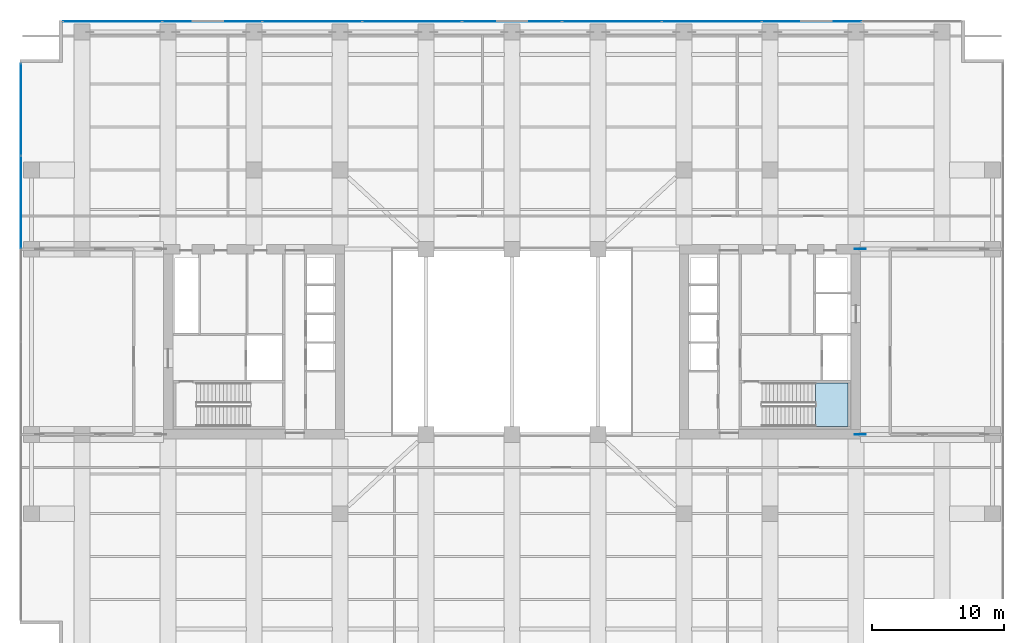
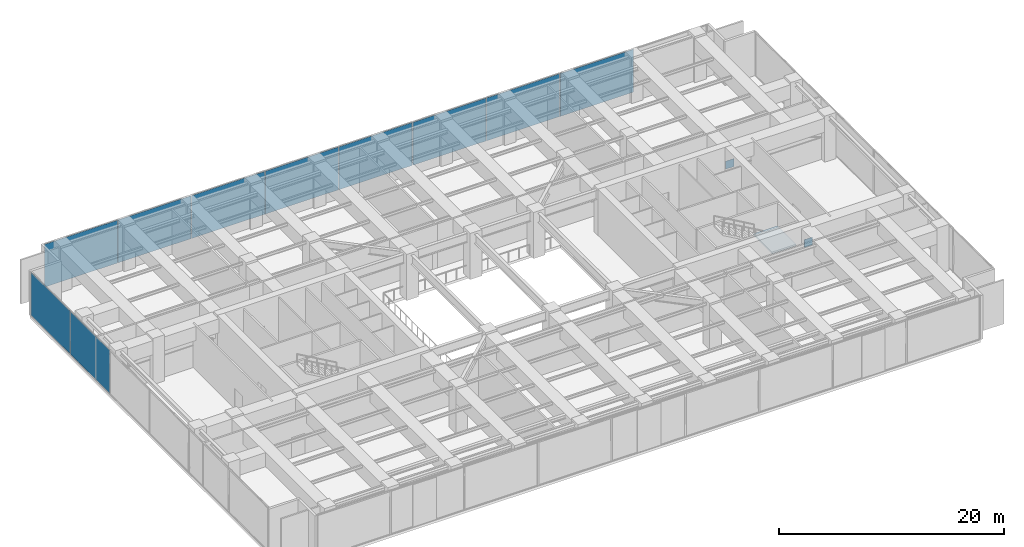
# One storey, part 15 of 28: 12 plates, 1 slab, 3 elements without a shape of their own.
"""IFC4 building model written with IfcOpenShell, lengths in metres."""

from ifc_helpers import new_model, si_unit, direction, frame, origin, origin_2d, place, context, subcontext, project, spatial, polyline, rectangle, outline, extrude, material, layer, layer_set, type_object, element, aggregate, save


model = new_model("IFC4")

# Units and contexts
model_context = context("Model", 3, precision=1e-05, world=origin(), true_north=direction((0.0, 1.0)))
body_context = subcontext(model_context, "Body", "Model", "MODEL_VIEW")
ifc_project = project(units=[si_unit("LENGTHUNIT", "METRE"), si_unit("AREAUNIT", "SQUARE_METRE"), si_unit("VOLUMEUNIT", "CUBIC_METRE"), si_unit("PLANEANGLEUNIT", "RADIAN"), si_unit("MASSUNIT", "GRAM", prefix="KILO")], contexts=[model_context])

# Site, building, storey
site_placement = place(None, origin())
site = spatial("IfcSite", under=ifc_project, at=site_placement, CompositionType="ELEMENT")
building_placement = place(site_placement, origin())
building = spatial("IfcBuilding", under=site, at=building_placement, Name="Putna Gate Headquarters", CompositionType="ELEMENT")
storey_placement = place(building_placement, frame((0.0, 0.0, 139.199951171875)))
storey = spatial("IfcBuildingStorey", under=building, at=storey_placement, Name="L34", CompositionType="ELEMENT", Elevation=139.199951171875)

# Stair, slab
ifc_material_1 = material(Name="Concrete C40/50", Category="concrete")
stair_type = type_object("IfcStairType", Name="STAIR-ST2", PredefinedType="HALF_TURN_STAIR", material=ifc_material_1)
stair_placement = place(storey_placement, origin())
stair = element("IfcStair", 1, at=stair_placement, inside=storey, type_object=stair_type, Name="L34 East Core Exit Stair ST2", PredefinedType="HALF_TURN_STAIR")
ifc_layer_1 = layer(ifc_material_1, 0.199951171875)
ifc_layer_set_1 = layer_set([ifc_layer_1], Name="Concrete C40/50")
slab_type = type_object("IfcSlabType", Name="LANDING-ST2", PredefinedType="LANDING", material=ifc_layer_set_1)
slab_placement = place(storey_placement, frame((0.0, 0.0, 2.300048828125)))
slab = element("IfcSlab", 2, at=slab_placement, type_object=slab_type, Name="ST2 landing 1", PredefinedType="LANDING", context=body_context, shape_type="SweptSolid", body=[
    extrude(outline(polyline([(61.9599609375, 19.60009765625), (64.39990234375, 19.60009765625), (64.39990234375, 22.89990234375), (61.9599609375, 22.89990234375), (61.9599609375, 19.60009765625)])), origin(), (0.0, 0.0, 1.0), 0.199951171875),
])
aggregate(stair, [slab])

# Curtain wall, plates
ifc_material_2 = material(Name="Anodised bronze aluminium curtain wall", Category="aluminium")
ifc_layer_2 = layer(ifc_material_2, 0.159912109375)
ifc_layer_set_2 = layer_set([ifc_layer_2], Name="Anodised bronze aluminium curtain wall")
curtain_wall_type = type_object("IfcCurtainWallType", Name="CW-SYS-CRN", PredefinedType="USERDEFINED", material=ifc_layer_set_2)
curtain_wall_1_placement = place(storey_placement, origin())
curtain_wall_1 = element("IfcCurtainWall", 3, at=curtain_wall_1_placement, inside=storey, type_object=curtain_wall_type, Name="L34 Acoustic Louvre North Enclosure", ObjectType="STICK CURTAIN WALL", PredefinedType="USERDEFINED")
ifc_material_3 = material(Name="Anodised bronze acoustic louvre panel", Category="aluminium")
ifc_layer_3 = layer(ifc_material_3, 0.044921875)
ifc_layer_set_3 = layer_set([ifc_layer_3], Name="Anodised bronze acoustic louvre panel")
plate_type_1 = type_object("IfcPlateType", Name="PAN-CWP-CR", PredefinedType="CURTAIN_PANEL", material=ifc_layer_set_3)
plate_1_placement = place(storey_placement, frame((8.7939453125, 50.219970703125, 0.06494140625), z_axis=(0.0, 0.0, 1.0), x_axis=(1.0, 0.0, 0.0)))
plate_1 = element("IfcPlate", 4, at=plate_1_placement, type_object=plate_type_1, Name="CWS-CR panel 1.1", PredefinedType="CURTAIN_PANEL", context=body_context, shape_type="SweptSolid", body=[
    extrude(rectangle(XDim=7.4580078125, YDim=0.044921875, at=origin_2d()), origin(), (0.0, 0.0, 1.0), 4.64208984375),
])
plate_2_placement = place(storey_placement, frame((16.333251953125, 50.219970703125, 0.06494140625), z_axis=(0.0, 0.0, 1.0), x_axis=(1.0, 0.0, 0.0)))
plate_2 = element("IfcPlate", 5, at=plate_2_placement, type_object=plate_type_1, Name="CWS-CR panel 2.1", PredefinedType="CURTAIN_PANEL", context=body_context, shape_type="SweptSolid", body=[
    extrude(rectangle(XDim=7.490478515625, YDim=0.044921875, at=origin_2d()), origin(), (0.0, 0.0, 1.0), 4.64208984375),
])
plate_3_placement = place(storey_placement, frame((23.888916015625, 50.219970703125, 0.06494140625), z_axis=(0.0, 0.0, 1.0), x_axis=(1.0, 0.0, 0.0)))
plate_3 = element("IfcPlate", 6, at=plate_3_placement, type_object=plate_type_1, Name="CWS-CR panel 3.1", PredefinedType="CURTAIN_PANEL", context=body_context, shape_type="SweptSolid", body=[
    extrude(rectangle(XDim=7.490478515625, YDim=0.044921875, at=origin_2d()), origin(), (0.0, 0.0, 1.0), 4.64208984375),
])
plate_4_placement = place(storey_placement, frame((31.4443359375, 50.219970703125, 0.06494140625), z_axis=(0.0, 0.0, 1.0), x_axis=(1.0, 0.0, 0.0)))
plate_4 = element("IfcPlate", 7, at=plate_4_placement, type_object=plate_type_1, Name="CWS-CR panel 4.1", PredefinedType="CURTAIN_PANEL", context=body_context, shape_type="SweptSolid", body=[
    extrude(rectangle(XDim=7.490478515625, YDim=0.044921875, at=origin_2d()), origin(), (0.0, 0.0, 1.0), 4.64208984375),
])
plate_5_placement = place(storey_placement, frame((39.0, 50.219970703125, 0.06494140625), z_axis=(0.0, 0.0, 1.0), x_axis=(1.0, 0.0, 0.0)))
plate_5 = element("IfcPlate", 8, at=plate_5_placement, type_object=plate_type_1, Name="CWS-CR panel 5.1", PredefinedType="CURTAIN_PANEL", context=body_context, shape_type="SweptSolid", body=[
    extrude(rectangle(XDim=7.490478515625, YDim=0.044921875, at=origin_2d()), origin(), (0.0, 0.0, 1.0), 4.64208984375),
])
plate_6_placement = place(storey_placement, frame((46.5556640625, 50.219970703125, 0.06494140625), z_axis=(0.0, 0.0, 1.0), x_axis=(1.0, 0.0, 0.0)))
plate_6 = element("IfcPlate", 9, at=plate_6_placement, type_object=plate_type_1, Name="CWS-CR panel 6.1", PredefinedType="CURTAIN_PANEL", context=body_context, shape_type="SweptSolid", body=[
    extrude(rectangle(XDim=7.490478515625, YDim=0.044921875, at=origin_2d()), origin(), (0.0, 0.0, 1.0), 4.64208984375),
])
plate_7_placement = place(storey_placement, frame((54.111083984375, 50.219970703125, 0.06494140625), z_axis=(0.0, 0.0, 1.0), x_axis=(1.0, 0.0, 0.0)))
plate_7 = element("IfcPlate", 10, at=plate_7_placement, type_object=plate_type_1, Name="CWS-CR panel 7.1", PredefinedType="CURTAIN_PANEL", context=body_context, shape_type="SweptSolid", body=[
    extrude(rectangle(XDim=7.490478515625, YDim=0.044921875, at=origin_2d()), origin(), (0.0, 0.0, 1.0), 4.64208984375),
])
plate_8_placement = place(storey_placement, frame((61.666748046875, 50.219970703125, 0.06494140625), z_axis=(0.0, 0.0, 1.0), x_axis=(1.0, 0.0, 0.0)))
plate_8 = element("IfcPlate", 11, at=plate_8_placement, type_object=plate_type_1, Name="CWS-CR panel 8.1", PredefinedType="CURTAIN_PANEL", context=body_context, shape_type="SweptSolid", body=[
    extrude(rectangle(XDim=7.490478515625, YDim=0.044921875, at=origin_2d()), origin(), (0.0, 0.0, 1.0), 4.64208984375),
])
aggregate(curtain_wall_1, [plate_1, plate_2, plate_3, plate_4, plate_5, plate_6, plate_7, plate_8])

curtain_wall_2_placement = place(storey_placement, origin())
curtain_wall_2 = element("IfcCurtainWall", 12, at=curtain_wall_2_placement, inside=storey, type_object=curtain_wall_type, Name="L34 Acoustic Louvre West Enclosure", ObjectType="STICK CURTAIN WALL", PredefinedType="USERDEFINED")
plate_9_placement = place(storey_placement, frame((1.8798828125, 36.550048828125, 0.06494140625), z_axis=(0.0, 0.0, 1.0), x_axis=(0.0, 1.0, 0.0)))
plate_9 = element("IfcPlate", 13, at=plate_9_placement, type_object=plate_type_1, Name="CWS-CR panel 5.1", PredefinedType="CURTAIN_PANEL", context=body_context, shape_type="SweptSolid", body=[
    extrude(rectangle(XDim=6.96826171875, YDim=0.044921875, at=origin_2d()), origin(), (0.0, 0.0, 1.0), 4.64208984375),
])
plate_10_placement = place(storey_placement, frame((1.8798828125, 43.567138671875, 0.06494140625), z_axis=(0.0, 0.0, 1.0), x_axis=(0.0, 1.0, 0.0)))
plate_10 = element("IfcPlate", 14, at=plate_10_placement, type_object=plate_type_1, Name="CWS-CR panel 6.1", PredefinedType="CURTAIN_PANEL", context=body_context, shape_type="SweptSolid", body=[
    extrude(rectangle(XDim=6.935791015625, YDim=0.044921875, at=origin_2d()), origin(), (0.0, 0.0, 1.0), 4.64208984375),
])
aggregate(curtain_wall_2, [plate_9, plate_10])

# Plates
ifc_material_4 = material(Name="Steel S460M", Category="steel")
ifc_layer_4 = layer(ifc_material_4, 0.0400390625)
ifc_layer_set_4 = layer_set([ifc_layer_4], Name="Steel S460M")
plate_type_2 = type_object("IfcPlateType", Name="PLT-NODE-ON1", PredefinedType="SHEET", material=ifc_layer_set_4)
for number, where, z_axis, x_axis, name in (
    (15, (65.3349609375, 19.0, 2.324951171875), (0.0, 0.0, 1.0), (1.0, 0.0, 0.0), "L34 Outrigger Node Plate ON1 ES"),
    (16, (65.3349609375, 33.0, 2.324951171875), (0.0, 0.0, 1.0), (1.0, 0.0, 0.0), "L34 Outrigger Node Plate ON1 EN"),
):
    element("IfcPlate", number, at=place(storey_placement, frame(where, z_axis=z_axis, x_axis=x_axis)), inside=storey, type_object=plate_type_2, Name=name, PredefinedType="SHEET", context=body_context, shape_type="SweptSolid", body=[
        extrude(rectangle(XDim=0.85009765625, YDim=0.0400390625, at=origin_2d()), origin(), (0.0, 0.0, 1.0), 0.85009765625),
    ])

save(model, "model.ifc")
